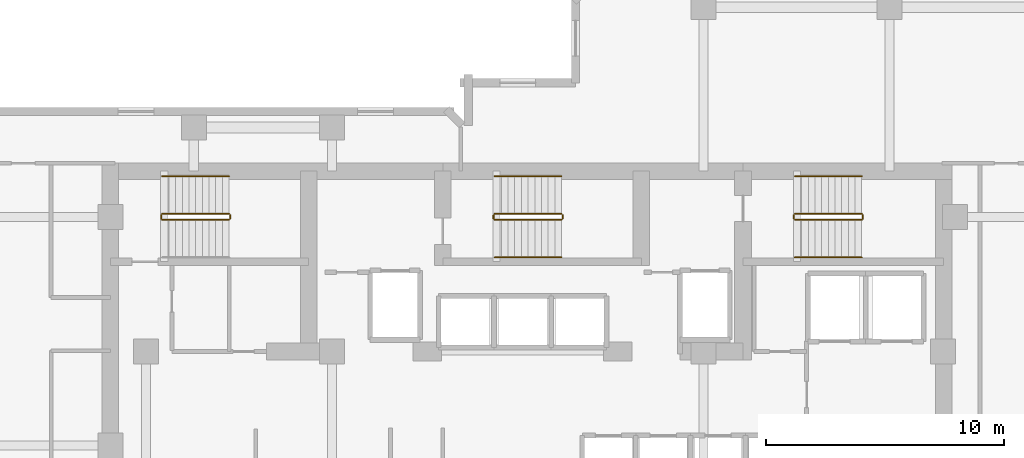
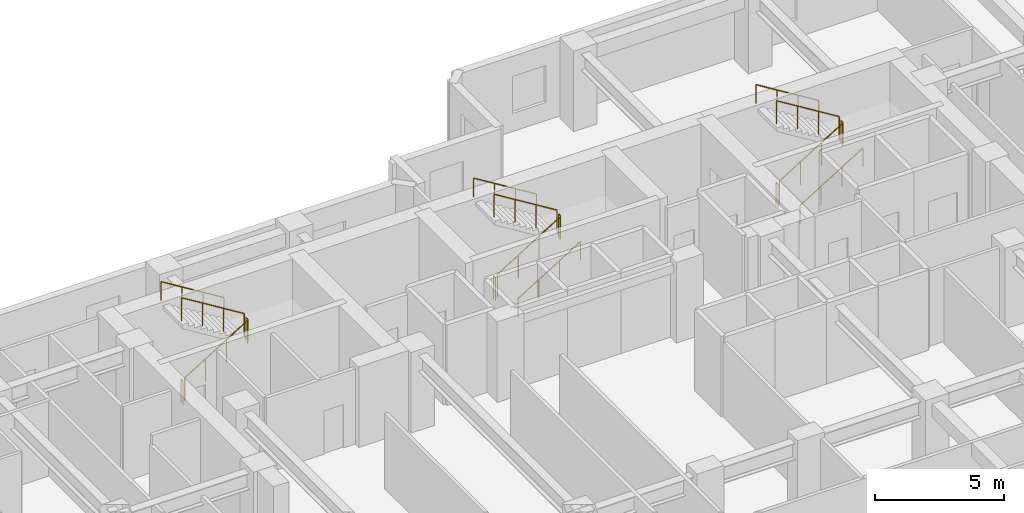
# One storey, part 11 of 11: 17 railings.
"""IFC4 building model written with IfcOpenShell, lengths in metres."""

from ifc_helpers import new_model, si_unit, direction, frame, origin, origin_2d, place, context, subcontext, project, spatial, circle, extrude, material, type_object, element, save


model = new_model("IFC4")

# Units and contexts
model_context = context("Model", 3, precision=1e-05, world=origin(), true_north=direction((0.0, 1.0)))
body_context = subcontext(model_context, "Body", "Model", "MODEL_VIEW")
ifc_project = project(units=[si_unit("LENGTHUNIT", "METRE"), si_unit("AREAUNIT", "SQUARE_METRE"), si_unit("VOLUMEUNIT", "CUBIC_METRE"), si_unit("PLANEANGLEUNIT", "RADIAN"), si_unit("MASSUNIT", "GRAM", prefix="KILO")], contexts=[model_context])

# Site, building, storey
site_placement = place(None, origin())
site = spatial("IfcSite", under=ifc_project, at=site_placement, CompositionType="ELEMENT")
building_placement = place(site_placement, origin())
building = spatial("IfcBuilding", under=site, at=building_placement, Name="Kestravale Grand Hotel", CompositionType="ELEMENT")
storey_placement = place(building_placement, frame((0.0, 0.0, 161.199951171875)))
storey = spatial("IfcBuildingStorey", under=building, at=storey_placement, Name="L40", CompositionType="ELEMENT", Elevation=161.199951171875)

# Railings
ifc_material_1 = material(Name="Painted tubular steel stair well guard", Category="steel")
railing_type_1 = type_object("IfcRailingType", Name="RL-ST-GRD1100", PredefinedType="GUARDRAIL", material=ifc_material_1)
railing_1_placement = place(storey_placement, frame((24.080078125, 38.280029296875, 0.1728515625)))
element("IfcRailing", 1, at=railing_1_placement, inside=storey, type_object=railing_type_1, Name="L40 ST-1 stair guard 1", PredefinedType="GUARDRAIL", context=body_context, shape_type="SweptSolid", body=[
    extrude(circle(Radius=0.02392578125, at=origin_2d()), frame((0.0, 0.0, 1.076171875), z_axis=(0.851069175582, 0.0, 0.525053576669), x_axis=(0.0, 1.0, 0.0)), (0.0, 0.0, 1.0), 3.289794921875),
    extrude(circle(Radius=0.02099609375, at=origin_2d()), origin(), (0.0, 0.0, 1.0), 1.052001953125),
    extrude(circle(Radius=0.02099609375, at=origin_2d()), frame((0.933349609375, 0.0, 0.57568359375)), (0.0, 0.0, 1.0), 1.052001953125),
    extrude(circle(Radius=0.02099609375, at=origin_2d()), frame((1.866455078125, 0.0, 1.151611328125)), (0.0, 0.0, 1.0), 1.052001953125),
    extrude(circle(Radius=0.02099609375, at=origin_2d()), frame((2.7998046875, 0.0, 1.727294921875)), (0.0, 0.0, 1.0), 1.052001953125),
])
railing_2_placement = place(storey_placement, frame((26.929931640625, 38.330078125, 1.900146484375)))
element("IfcRailing", 2, at=railing_2_placement, inside=storey, type_object=railing_type_1, Name="L40 ST-1 stair guard 2", PredefinedType="GUARDRAIL", context=body_context, shape_type="SweptSolid", body=[
    extrude(circle(Radius=0.02392578125, at=origin_2d()), frame((0.0, 0.0, 1.076171875), z_axis=(0.0, 1.0, 0.0), x_axis=(-1.0, 0.0, 0.0)), (0.0, 0.0, 1.0), 0.14990234375),
    extrude(circle(Radius=0.02099609375, at=origin_2d()), origin(), (0.0, 0.0, 1.0), 1.052001953125),
    extrude(circle(Radius=0.02099609375, at=origin_2d()), frame((0.0, 0.14990234375, 0.0)), (0.0, 0.0, 1.0), 1.052001953125),
])
railing_3_placement = place(storey_placement, frame((26.8798828125, 38.530029296875, 2.07275390625)))
element("IfcRailing", 3, at=railing_3_placement, inside=storey, type_object=railing_type_1, Name="L40 ST-1 stair guard 3", PredefinedType="GUARDRAIL", context=body_context, shape_type="SweptSolid", body=[
    extrude(circle(Radius=0.02392578125, at=origin_2d()), frame((0.0, 0.0, 1.076171875), z_axis=(-0.851069175582, 0.0, 0.525053576669), x_axis=(0.0, -1.0, 0.0)), (0.0, 0.0, 1.0), 3.289794921875),
    extrude(circle(Radius=0.02099609375, at=origin_2d()), origin(), (0.0, 0.0, 1.0), 1.052001953125),
    extrude(circle(Radius=0.02099609375, at=origin_2d()), frame((-0.933349609375, 0.0, 0.57568359375)), (0.0, 0.0, 1.0), 1.052001953125),
    extrude(circle(Radius=0.02099609375, at=origin_2d()), frame((-1.866455078125, 0.0, 1.151611328125)), (0.0, 0.0, 1.0), 1.052001953125),
    extrude(circle(Radius=0.02099609375, at=origin_2d()), frame((-2.7998046875, 0.0, 1.727294921875)), (0.0, 0.0, 1.0), 1.052001953125),
])
railing_4_placement = place(storey_placement, frame((24.030029296875, 38.330078125, 0.0)))
element("IfcRailing", 4, at=railing_4_placement, inside=storey, type_object=railing_type_1, Name="L40 ST-1 stair guard 4", PredefinedType="GUARDRAIL", context=body_context, shape_type="SweptSolid", body=[
    extrude(circle(Radius=0.02392578125, at=origin_2d()), frame((0.0, 0.0, 1.076171875), z_axis=(0.0, 1.0, 0.0), x_axis=(-1.0, 0.0, 0.0)), (0.0, 0.0, 1.0), 0.14990234375),
    extrude(circle(Radius=0.02099609375, at=origin_2d()), origin(), (0.0, 0.0, 1.0), 1.052001953125),
    extrude(circle(Radius=0.02099609375, at=origin_2d()), frame((0.0, 0.14990234375, 0.0)), (0.0, 0.0, 1.0), 1.052001953125),
])
railing_5_placement = place(storey_placement, frame((38.030029296875, 38.280029296875, 0.1728515625)))
element("IfcRailing", 5, at=railing_5_placement, inside=storey, type_object=railing_type_1, Name="L40 ST-2 stair guard 1", PredefinedType="GUARDRAIL", context=body_context, shape_type="SweptSolid", body=[
    extrude(circle(Radius=0.02392578125, at=origin_2d()), frame((0.0, 0.0, 1.076171875), z_axis=(0.851089632645, 0.0, 0.525020415988), x_axis=(0.0, 1.0, 0.0)), (0.0, 0.0, 1.0), 3.2900390625),
    extrude(circle(Radius=0.02099609375, at=origin_2d()), origin(), (0.0, 0.0, 1.0), 1.052001953125),
    extrude(circle(Radius=0.02099609375, at=origin_2d()), frame((0.933349609375, 0.0, 0.57568359375)), (0.0, 0.0, 1.0), 1.052001953125),
    extrude(circle(Radius=0.02099609375, at=origin_2d()), frame((1.86669921875, 0.0, 1.151611328125)), (0.0, 0.0, 1.0), 1.052001953125),
    extrude(circle(Radius=0.02099609375, at=origin_2d()), frame((2.800048828125, 0.0, 1.727294921875)), (0.0, 0.0, 1.0), 1.052001953125),
])
railing_6_placement = place(storey_placement, frame((40.8798828125, 38.330078125, 1.900146484375)))
element("IfcRailing", 6, at=railing_6_placement, inside=storey, type_object=railing_type_1, Name="L40 ST-2 stair guard 2", PredefinedType="GUARDRAIL", context=body_context, shape_type="SweptSolid", body=[
    extrude(circle(Radius=0.02392578125, at=origin_2d()), frame((0.0, 0.0, 1.076171875), z_axis=(0.0, 1.0, 0.0), x_axis=(-1.0, 0.0, 0.0)), (0.0, 0.0, 1.0), 0.14990234375),
    extrude(circle(Radius=0.02099609375, at=origin_2d()), origin(), (0.0, 0.0, 1.0), 1.052001953125),
    extrude(circle(Radius=0.02099609375, at=origin_2d()), frame((0.0, 0.14990234375, 0.0)), (0.0, 0.0, 1.0), 1.052001953125),
])
railing_7_placement = place(storey_placement, frame((40.830078125, 38.530029296875, 2.07275390625)))
element("IfcRailing", 7, at=railing_7_placement, inside=storey, type_object=railing_type_1, Name="L40 ST-2 stair guard 3", PredefinedType="GUARDRAIL", context=body_context, shape_type="SweptSolid", body=[
    extrude(circle(Radius=0.02392578125, at=origin_2d()), frame((0.0, 0.0, 1.076171875), z_axis=(-0.851089632645, 0.0, 0.525020415988), x_axis=(0.0, -1.0, 0.0)), (0.0, 0.0, 1.0), 3.2900390625),
    extrude(circle(Radius=0.02099609375, at=origin_2d()), origin(), (0.0, 0.0, 1.0), 1.052001953125),
    extrude(circle(Radius=0.02099609375, at=origin_2d()), frame((-0.933349609375, 0.0, 0.57568359375)), (0.0, 0.0, 1.0), 1.052001953125),
    extrude(circle(Radius=0.02099609375, at=origin_2d()), frame((-1.86669921875, 0.0, 1.151611328125)), (0.0, 0.0, 1.0), 1.052001953125),
    extrude(circle(Radius=0.02099609375, at=origin_2d()), frame((-2.800048828125, 0.0, 1.727294921875)), (0.0, 0.0, 1.0), 1.052001953125),
])
railing_8_placement = place(storey_placement, frame((37.97998046875, 38.330078125, 0.0)))
element("IfcRailing", 8, at=railing_8_placement, inside=storey, type_object=railing_type_1, Name="L40 ST-2 stair guard 4", PredefinedType="GUARDRAIL", context=body_context, shape_type="SweptSolid", body=[
    extrude(circle(Radius=0.02392578125, at=origin_2d()), frame((0.0, 0.0, 1.076171875), z_axis=(0.0, 1.0, 0.0), x_axis=(-1.0, 0.0, 0.0)), (0.0, 0.0, 1.0), 0.14990234375),
    extrude(circle(Radius=0.02099609375, at=origin_2d()), origin(), (0.0, 0.0, 1.0), 1.052001953125),
    extrude(circle(Radius=0.02099609375, at=origin_2d()), frame((0.0, 0.14990234375, 0.0)), (0.0, 0.0, 1.0), 1.052001953125),
])
railing_9_placement = place(storey_placement, frame((50.6298828125, 38.280029296875, 0.1728515625)))
element("IfcRailing", 9, at=railing_9_placement, inside=storey, type_object=railing_type_1, Name="L40 ST-3 stair guard 1", PredefinedType="GUARDRAIL", context=body_context, shape_type="SweptSolid", body=[
    extrude(circle(Radius=0.02392578125, at=origin_2d()), frame((0.0, 0.0, 1.076171875), z_axis=(0.851089632645, 0.0, 0.525020415988), x_axis=(0.0, 1.0, 0.0)), (0.0, 0.0, 1.0), 3.2900390625),
    extrude(circle(Radius=0.02099609375, at=origin_2d()), origin(), (0.0, 0.0, 1.0), 1.052001953125),
    extrude(circle(Radius=0.02099609375, at=origin_2d()), frame((0.933349609375, 0.0, 0.57568359375)), (0.0, 0.0, 1.0), 1.052001953125),
    extrude(circle(Radius=0.02099609375, at=origin_2d()), frame((1.86669921875, 0.0, 1.151611328125)), (0.0, 0.0, 1.0), 1.052001953125),
    extrude(circle(Radius=0.02099609375, at=origin_2d()), frame((2.800048828125, 0.0, 1.727294921875)), (0.0, 0.0, 1.0), 1.052001953125),
])
railing_10_placement = place(storey_placement, frame((53.47998046875, 38.330078125, 1.900146484375)))
element("IfcRailing", 10, at=railing_10_placement, inside=storey, type_object=railing_type_1, Name="L40 ST-3 stair guard 2", PredefinedType="GUARDRAIL", context=body_context, shape_type="SweptSolid", body=[
    extrude(circle(Radius=0.02392578125, at=origin_2d()), frame((0.0, 0.0, 1.076171875), z_axis=(0.0, 1.0, 0.0), x_axis=(-1.0, 0.0, 0.0)), (0.0, 0.0, 1.0), 0.14990234375),
    extrude(circle(Radius=0.02099609375, at=origin_2d()), origin(), (0.0, 0.0, 1.0), 1.052001953125),
    extrude(circle(Radius=0.02099609375, at=origin_2d()), frame((0.0, 0.14990234375, 0.0)), (0.0, 0.0, 1.0), 1.052001953125),
])
railing_11_placement = place(storey_placement, frame((53.429931640625, 38.530029296875, 2.07275390625)))
element("IfcRailing", 11, at=railing_11_placement, inside=storey, type_object=railing_type_1, Name="L40 ST-3 stair guard 3", PredefinedType="GUARDRAIL", context=body_context, shape_type="SweptSolid", body=[
    extrude(circle(Radius=0.02392578125, at=origin_2d()), frame((0.0, 0.0, 1.076171875), z_axis=(-0.851089632645, 0.0, 0.525020415988), x_axis=(0.0, -1.0, 0.0)), (0.0, 0.0, 1.0), 3.2900390625),
    extrude(circle(Radius=0.02099609375, at=origin_2d()), origin(), (0.0, 0.0, 1.0), 1.052001953125),
    extrude(circle(Radius=0.02099609375, at=origin_2d()), frame((-0.933349609375, 0.0, 0.57568359375)), (0.0, 0.0, 1.0), 1.052001953125),
    extrude(circle(Radius=0.02099609375, at=origin_2d()), frame((-1.86669921875, 0.0, 1.151611328125)), (0.0, 0.0, 1.0), 1.052001953125),
    extrude(circle(Radius=0.02099609375, at=origin_2d()), frame((-2.800048828125, 0.0, 1.727294921875)), (0.0, 0.0, 1.0), 1.052001953125),
])
railing_12_placement = place(storey_placement, frame((50.580078125, 38.330078125, 0.0)))
element("IfcRailing", 12, at=railing_12_placement, inside=storey, type_object=railing_type_1, Name="L40 ST-3 stair guard 4", PredefinedType="GUARDRAIL", context=body_context, shape_type="SweptSolid", body=[
    extrude(circle(Radius=0.02392578125, at=origin_2d()), frame((0.0, 0.0, 1.076171875), z_axis=(0.0, 1.0, 0.0), x_axis=(-1.0, 0.0, 0.0)), (0.0, 0.0, 1.0), 0.14990234375),
    extrude(circle(Radius=0.02099609375, at=origin_2d()), origin(), (0.0, 0.0, 1.0), 1.052001953125),
    extrude(circle(Radius=0.02099609375, at=origin_2d()), frame((0.0, 0.14990234375, 0.0)), (0.0, 0.0, 1.0), 1.052001953125),
])
ifc_material_2 = material(Name="Brushed stainless steel wall handrail", Category="steel")
railing_type_2 = type_object("IfcRailingType", Name="RL-ST-HND900", PredefinedType="HANDRAIL", material=ifc_material_2)
railing_13_placement = place(storey_placement, frame((26.8798828125, 40.110107421875, 2.07275390625)))
element("IfcRailing", 13, at=railing_13_placement, inside=storey, type_object=railing_type_2, Name="L40 ST-1 stair handrail 2", PredefinedType="HANDRAIL", context=body_context, shape_type="SweptSolid", body=[
    extrude(circle(Radius=0.02392578125, at=origin_2d()), frame((0.0, 0.0, 0.8759765625), z_axis=(-0.851069175582, 0.0, 0.525053576669), x_axis=(0.0, -1.0, 0.0)), (0.0, 0.0, 1.0), 3.289794921875),
    extrude(circle(Radius=0.02099609375, at=origin_2d()), origin(), (0.0, 0.0, 1.0), 0.851806640625),
    extrude(circle(Radius=0.02099609375, at=origin_2d()), frame((-0.933349609375, 0.0, 0.57568359375)), (0.0, 0.0, 1.0), 0.851806640625),
    extrude(circle(Radius=0.02099609375, at=origin_2d()), frame((-1.866455078125, 0.0, 1.151611328125)), (0.0, 0.0, 1.0), 0.851806640625),
    extrude(circle(Radius=0.02099609375, at=origin_2d()), frame((-2.7998046875, 0.0, 1.727294921875)), (0.0, 0.0, 1.0), 0.851806640625),
])
railing_14_placement = place(storey_placement, frame((38.030029296875, 36.699951171875, 0.1728515625)))
element("IfcRailing", 14, at=railing_14_placement, inside=storey, type_object=railing_type_2, Name="L40 ST-2 stair handrail 1", PredefinedType="HANDRAIL", context=body_context, shape_type="SweptSolid", body=[
    extrude(circle(Radius=0.02392578125, at=origin_2d()), frame((0.0, 0.0, 0.8759765625), z_axis=(0.851089632645, 0.0, 0.525020415988), x_axis=(0.0, 1.0, 0.0)), (0.0, 0.0, 1.0), 3.2900390625),
    extrude(circle(Radius=0.02099609375, at=origin_2d()), origin(), (0.0, 0.0, 1.0), 0.851806640625),
    extrude(circle(Radius=0.02099609375, at=origin_2d()), frame((0.933349609375, 0.0, 0.57568359375)), (0.0, 0.0, 1.0), 0.851806640625),
    extrude(circle(Radius=0.02099609375, at=origin_2d()), frame((1.86669921875, 0.0, 1.151611328125)), (0.0, 0.0, 1.0), 0.851806640625),
    extrude(circle(Radius=0.02099609375, at=origin_2d()), frame((2.800048828125, 0.0, 1.727294921875)), (0.0, 0.0, 1.0), 0.851806640625),
])
railing_15_placement = place(storey_placement, frame((40.830078125, 40.110107421875, 2.07275390625)))
element("IfcRailing", 15, at=railing_15_placement, inside=storey, type_object=railing_type_2, Name="L40 ST-2 stair handrail 2", PredefinedType="HANDRAIL", context=body_context, shape_type="SweptSolid", body=[
    extrude(circle(Radius=0.02392578125, at=origin_2d()), frame((0.0, 0.0, 0.8759765625), z_axis=(-0.851089632645, 0.0, 0.525020415988), x_axis=(0.0, -1.0, 0.0)), (0.0, 0.0, 1.0), 3.2900390625),
    extrude(circle(Radius=0.02099609375, at=origin_2d()), origin(), (0.0, 0.0, 1.0), 0.851806640625),
    extrude(circle(Radius=0.02099609375, at=origin_2d()), frame((-0.933349609375, 0.0, 0.57568359375)), (0.0, 0.0, 1.0), 0.851806640625),
    extrude(circle(Radius=0.02099609375, at=origin_2d()), frame((-1.86669921875, 0.0, 1.151611328125)), (0.0, 0.0, 1.0), 0.851806640625),
    extrude(circle(Radius=0.02099609375, at=origin_2d()), frame((-2.800048828125, 0.0, 1.727294921875)), (0.0, 0.0, 1.0), 0.851806640625),
])
railing_16_placement = place(storey_placement, frame((50.6298828125, 36.699951171875, 0.1728515625)))
element("IfcRailing", 16, at=railing_16_placement, inside=storey, type_object=railing_type_2, Name="L40 ST-3 stair handrail 1", PredefinedType="HANDRAIL", context=body_context, shape_type="SweptSolid", body=[
    extrude(circle(Radius=0.02392578125, at=origin_2d()), frame((0.0, 0.0, 0.8759765625), z_axis=(0.851089632645, 0.0, 0.525020415988), x_axis=(0.0, 1.0, 0.0)), (0.0, 0.0, 1.0), 3.2900390625),
    extrude(circle(Radius=0.02099609375, at=origin_2d()), origin(), (0.0, 0.0, 1.0), 0.851806640625),
    extrude(circle(Radius=0.02099609375, at=origin_2d()), frame((0.933349609375, 0.0, 0.57568359375)), (0.0, 0.0, 1.0), 0.851806640625),
    extrude(circle(Radius=0.02099609375, at=origin_2d()), frame((1.86669921875, 0.0, 1.151611328125)), (0.0, 0.0, 1.0), 0.851806640625),
    extrude(circle(Radius=0.02099609375, at=origin_2d()), frame((2.800048828125, 0.0, 1.727294921875)), (0.0, 0.0, 1.0), 0.851806640625),
])
railing_17_placement = place(storey_placement, frame((53.429931640625, 40.110107421875, 2.07275390625)))
element("IfcRailing", 17, at=railing_17_placement, inside=storey, type_object=railing_type_2, Name="L40 ST-3 stair handrail 2", PredefinedType="HANDRAIL", context=body_context, shape_type="SweptSolid", body=[
    extrude(circle(Radius=0.02392578125, at=origin_2d()), frame((0.0, 0.0, 0.8759765625), z_axis=(-0.851089632645, 0.0, 0.525020415988), x_axis=(0.0, -1.0, 0.0)), (0.0, 0.0, 1.0), 3.2900390625),
    extrude(circle(Radius=0.02099609375, at=origin_2d()), origin(), (0.0, 0.0, 1.0), 0.851806640625),
    extrude(circle(Radius=0.02099609375, at=origin_2d()), frame((-0.933349609375, 0.0, 0.57568359375)), (0.0, 0.0, 1.0), 0.851806640625),
    extrude(circle(Radius=0.02099609375, at=origin_2d()), frame((-1.86669921875, 0.0, 1.151611328125)), (0.0, 0.0, 1.0), 0.851806640625),
    extrude(circle(Radius=0.02099609375, at=origin_2d()), frame((-2.800048828125, 0.0, 1.727294921875)), (0.0, 0.0, 1.0), 0.851806640625),
])

save(model, "model.ifc")
